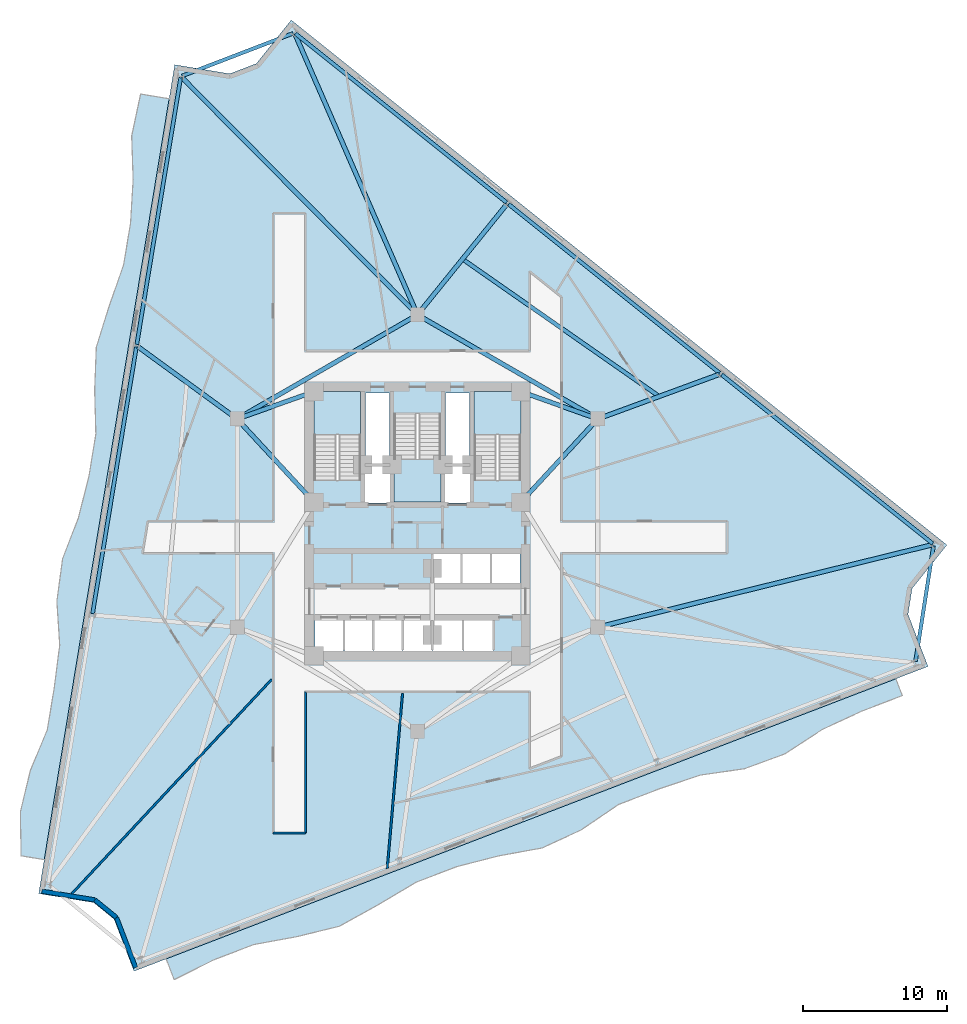
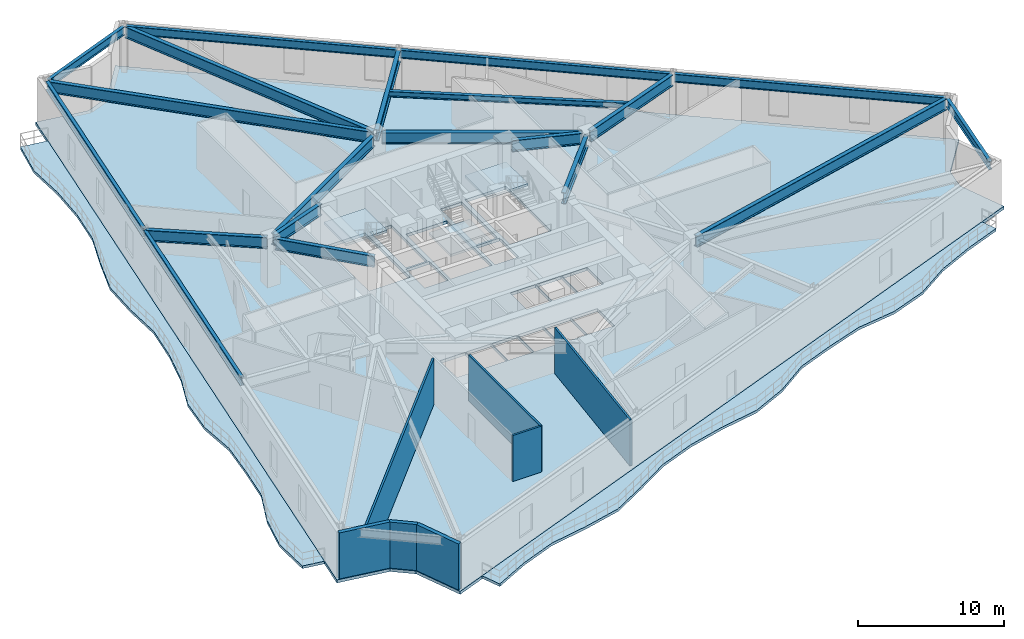
# One storey, part 3 of 10: 20 beams, 7 walls, 6 slabs, 3 elements without a shape of their own.
"""IFC4 building model written with IfcOpenShell, lengths in metres."""

from ifc_helpers import new_model, si_unit, direction, frame, frame_2d, origin, origin_2d, place, context, subcontext, project, spatial, polyline, rectangle, i_section, outline, extrude, material, layer, layer_set, material_profile, profile_set, type_object, element, aggregate, save


model = new_model("IFC4")

# Units and contexts
model_context = context("Model", 3, precision=1e-05, world=origin(), true_north=direction((0.0, 1.0)))
body_context = subcontext(model_context, "Body", "Model", "MODEL_VIEW")
ifc_project = project(units=[si_unit("LENGTHUNIT", "METRE"), si_unit("AREAUNIT", "SQUARE_METRE"), si_unit("VOLUMEUNIT", "CUBIC_METRE"), si_unit("PLANEANGLEUNIT", "RADIAN"), si_unit("MASSUNIT", "GRAM", prefix="KILO")], contexts=[model_context])

# Site, building, storey
site_placement = place(None, origin())
site = spatial("IfcSite", under=ifc_project, at=site_placement, CompositionType="ELEMENT")
building_placement = place(site_placement, origin())
building = spatial("IfcBuilding", under=site, at=building_placement, Name="Apsidion Concourse Tower", CompositionType="ELEMENT")
storey_placement = place(building_placement, frame((0.0, 0.0, 144.5)))
storey = spatial("IfcBuildingStorey", under=building, at=storey_placement, Name="L33", CompositionType="ELEMENT", Elevation=144.5)

# Beams
ifc_material_1 = material(Name="Structural steel ASTM A992 Grade 50", Category="steel")
ifc_material_profile_1 = material_profile(ifc_material_1, i_section(OverallWidth=0.280029296875, OverallDepth=0.462890625, WebThickness=0.0107421875, FlangeThickness=0.017333984375, at=origin_2d()), Name="W18X76")
ifc_profile_set_1 = profile_set([ifc_material_profile_1], Name="Structural steel ASTM A992 Grade 50")
beam_type_1 = type_object("IfcBeamType", Name="BM-FL-W18M", PredefinedType="BEAM", material=ifc_profile_set_1)
beam_1_placement = place(storey_placement, frame((16.836181640625, 8.818359375, 3.618408203125), z_axis=(-0.819987071057, 0.572382043131, 0.0), x_axis=(-0.572382043131, -0.819987071057, 0.0)))
element("IfcBeam", 1, at=beam_1_placement, inside=storey, type_object=beam_type_1, Name="L33 Secondary Floor Beam SEC-F3", PredefinedType="BEAM", context=body_context, shape_type="SweptSolid", body=[
    extrude(i_section(OverallWidth=0.280029296875, OverallDepth=0.462890625, WebThickness=0.0107421875, FlangeThickness=0.017333984375, at=origin_2d()), origin(), (0.0, 0.0, 1.0), 16.70703125),
])
ifc_material_profile_2 = material_profile(ifc_material_1, i_section(OverallWidth=0.31005859375, OverallDepth=0.931884765625, WebThickness=0.02099609375, FlangeThickness=0.034423828125, at=origin_2d()), Name="W36X210")
ifc_profile_set_2 = profile_set([ifc_material_profile_2], Name="Structural steel ASTM A992 Grade 50")
beam_type_2 = type_object("IfcBeamType", Name="BM-G-W36", PredefinedType="USERDEFINED", material=ifc_profile_set_2)
beam_2_placement = place(storey_placement, frame((12.28857421875, 6.956298828125, 3.384033203125), z_axis=(-0.678712876106, -0.73440372535, 0.0), x_axis=(0.73440372535, -0.678712876106, 0.0)))
element("IfcBeam", 2, at=beam_2_placement, inside=storey, type_object=beam_type_2, Name="L33 Core Coupling Girder IC3-SC3", ObjectType="GIRDER", PredefinedType="USERDEFINED", context=body_context, shape_type="SweptSolid", body=[
    extrude(i_section(OverallWidth=0.31005859375, OverallDepth=0.931884765625, WebThickness=0.02099609375, FlangeThickness=0.034423828125, at=origin_2d()), origin(), (0.0, 0.0, 1.0), 7.097412109375),
])
beam_3_placement = place(storey_placement, frame((12.18310546875, 7.383544921875, 3.384033203125), z_axis=(-0.942533844539, 0.334110688094, 0.0), x_axis=(-0.334110688094, -0.942533844539, 0.0)))
element("IfcBeam", 3, at=beam_3_placement, inside=storey, type_object=beam_type_2, Name="L33 Core Coupling Girder IC3-SC4", ObjectType="GIRDER", PredefinedType="USERDEFINED", context=body_context, shape_type="SweptSolid", body=[
    extrude(i_section(OverallWidth=0.31005859375, OverallDepth=0.931884765625, WebThickness=0.02099609375, FlangeThickness=0.034423828125, at=origin_2d()), origin(), (0.0, 0.0, 1.0), 4.886962890625),
])
beam_4_placement = place(storey_placement, frame((-12.28857421875, 6.956298828125, 3.384033203125), z_axis=(0.678712876106, -0.73440372535, 0.0), x_axis=(0.73440372535, 0.678712876106, 0.0)))
element("IfcBeam", 4, at=beam_4_placement, inside=storey, type_object=beam_type_2, Name="L33 Core Coupling Girder IC5-SC6", ObjectType="GIRDER", PredefinedType="USERDEFINED", context=body_context, shape_type="SweptSolid", body=[
    extrude(i_section(OverallWidth=0.31005859375, OverallDepth=0.931884765625, WebThickness=0.02099609375, FlangeThickness=0.034423828125, at=origin_2d()), origin(), (0.0, 0.0, 1.0), 7.097412109375),
])
beam_5_placement = place(storey_placement, frame((-12.18310546875, 7.383544921875, 3.384033203125), z_axis=(0.942533844539, 0.334110688094, 0.0), x_axis=(-0.334110688094, 0.942533844539, 0.0)))
element("IfcBeam", 5, at=beam_5_placement, inside=storey, type_object=beam_type_2, Name="L33 Core Coupling Girder IC5-SC5", ObjectType="GIRDER", PredefinedType="USERDEFINED", context=body_context, shape_type="SweptSolid", body=[
    extrude(i_section(OverallWidth=0.31005859375, OverallDepth=0.931884765625, WebThickness=0.02099609375, FlangeThickness=0.034423828125, at=origin_2d()), origin(), (0.0, 0.0, 1.0), 4.886962890625),
])
for number, where, z_axis, x_axis, name in (
    (6, (-12.213623046875, 7.449951171875, 3.384033203125), (0.866070471464, 0.499921932364, 0.0), (-0.499921932364, 0.866070471464, 0.0), "L33 Core Coupling Girder IC5-IC4"),
    (7, (0.346435546875, 14.300048828125, 3.384033203125), (0.866070471464, -0.499921932364, 0.0), (0.499921932364, 0.866070471464, 0.0), "L33 Core Coupling Girder IC4-IC3"),
):
    element("IfcBeam", number, at=place(storey_placement, frame(where, z_axis=z_axis, x_axis=x_axis)), inside=storey, type_object=beam_type_2, Name=name, ObjectType="GIRDER", PredefinedType="USERDEFINED", context=body_context, shape_type="SweptSolid", body=[
        extrude(i_section(OverallWidth=0.31005859375, OverallDepth=0.931884765625, WebThickness=0.02099609375, FlangeThickness=0.034423828125, at=origin_2d()), origin(), (0.0, 0.0, 1.0), 13.702392578125),
    ])
beam_6_placement = place(storey_placement, frame((-0.155029296875, 14.656005859375, 3.384033203125), z_axis=(-0.704472079086, 0.709731702679, 0.0), x_axis=(-0.709731702679, -0.704472079086, 0.0)))
element("IfcBeam", 8, at=beam_6_placement, inside=storey, type_object=beam_type_2, Name="L33 Radial Floor Girder RAD-01", ObjectType="GIRDER", PredefinedType="USERDEFINED", context=body_context, shape_type="SweptSolid", body=[
    extrude(i_section(OverallWidth=0.31005859375, OverallDepth=0.931884765625, WebThickness=0.02099609375, FlangeThickness=0.034423828125, at=origin_2d()), origin(), (0.0, 0.0, 1.0), 23.069580078125),
])
beam_7_placement = place(storey_placement, frame((-12.73779296875, 7.37939453125, 3.384033203125), z_axis=(-0.80838519092, 0.588653873767, 0.0), x_axis=(-0.588653873767, -0.80838519092, 0.0)))
element("IfcBeam", 9, at=beam_7_placement, inside=storey, type_object=beam_type_2, Name="L33 Radial Floor Girder RAD-02", ObjectType="GIRDER", PredefinedType="USERDEFINED", context=body_context, shape_type="SweptSolid", body=[
    extrude(i_section(OverallWidth=0.31005859375, OverallDepth=0.931884765625, WebThickness=0.02099609375, FlangeThickness=0.034423828125, at=origin_2d()), origin(), (0.0, 0.0, 1.0), 8.337646484375),
])
beam_8_placement = place(storey_placement, frame((12.773681640625, -7.197509765625, 3.384033203125), z_axis=(0.970978267366, 0.239167732569, 0.0), x_axis=(-0.239167732569, 0.970978267366, 0.0)))
element("IfcBeam", 10, at=beam_8_placement, inside=storey, type_object=beam_type_2, Name="L33 Radial Floor Girder RAD-09", ObjectType="GIRDER", PredefinedType="USERDEFINED", context=body_context, shape_type="SweptSolid", body=[
    extrude(i_section(OverallWidth=0.31005859375, OverallDepth=0.931884765625, WebThickness=0.02099609375, FlangeThickness=0.034423828125, at=origin_2d()), origin(), (0.0, 0.0, 1.0), 23.770263671875),
])
beam_9_placement = place(storey_placement, frame((12.7666015625, 7.32568359375, 3.384033203125), z_axis=(0.938840099728, 0.34435340443, 0.0), x_axis=(-0.34435340443, 0.938840099728, 0.0)))
element("IfcBeam", 11, at=beam_9_placement, inside=storey, type_object=beam_type_2, Name="L33 Radial Floor Girder RAD-10", ObjectType="GIRDER", PredefinedType="USERDEFINED", context=body_context, shape_type="SweptSolid", body=[
    extrude(i_section(OverallWidth=0.31005859375, OverallDepth=0.931884765625, WebThickness=0.02099609375, FlangeThickness=0.034423828125, at=origin_2d()), origin(), (0.0, 0.0, 1.0), 8.789306640625),
])
beam_10_placement = place(storey_placement, frame((0.13818359375, 14.671142578125, 3.384033203125), z_axis=(0.628598256624, 0.777730179284, 0.0), x_axis=(-0.777730179284, 0.628598256624, 0.0)))
element("IfcBeam", 12, at=beam_10_placement, inside=storey, type_object=beam_type_2, Name="L33 Radial Floor Girder RAD-11", ObjectType="GIRDER", PredefinedType="USERDEFINED", context=body_context, shape_type="SweptSolid", body=[
    extrude(i_section(OverallWidth=0.31005859375, OverallDepth=0.931884765625, WebThickness=0.02099609375, FlangeThickness=0.034423828125, at=origin_2d()), origin(), (0.0, 0.0, 1.0), 9.660400390625),
])
beam_11_placement = place(storey_placement, frame((-0.087890625, 14.70166015625, 3.384033203125), z_axis=(-0.39980027304, 0.916602281078, 0.0), x_axis=(-0.916602281078, -0.39980027304, 0.0)))
element("IfcBeam", 13, at=beam_11_placement, inside=storey, type_object=beam_type_2, Name="L33 Radial Floor Girder RAD-12", ObjectType="GIRDER", PredefinedType="USERDEFINED", context=body_context, shape_type="SweptSolid", body=[
    extrude(i_section(OverallWidth=0.31005859375, OverallDepth=0.931884765625, WebThickness=0.02099609375, FlangeThickness=0.034423828125, at=origin_2d()), origin(), (0.0, 0.0, 1.0), 21.104248046875),
])
ifc_material_profile_3 = material_profile(ifc_material_1, i_section(OverallWidth=0.256103515625, OverallDepth=0.693115234375, WebThickness=0.014404296875, FlangeThickness=0.023681640625, at=origin_2d()), Name="W27X114")
ifc_profile_set_3 = profile_set([ifc_material_profile_3], Name="Structural steel ASTM A992 Grade 50")
beam_type_3 = type_object("IfcBeamType", Name="BM-SP-W27", PredefinedType="SPANDREL", material=ifc_profile_set_3)
for number, where, z_axis, x_axis, name in (
    (14, (-16.493408203125, 31.001708984375, 3.50341796875), (-0.162122790078, -0.986770591849, 0.0), (0.986770591849, -0.162122790078, 0.0), "L33 Perimeter Spandrel Girder SP-01"),
    (15, (-19.57470703125, 12.24755859375, 3.50341796875), (-0.162110148975, -0.986772668652, 0.0), (0.986772668652, -0.162110148975, 0.0), "L33 Perimeter Spandrel Girder SP-02"),
):
    element("IfcBeam", number, at=place(storey_placement, frame(where, z_axis=z_axis, x_axis=x_axis)), inside=storey, type_object=beam_type_3, Name=name, PredefinedType="SPANDREL", context=body_context, shape_type="SweptSolid", body=[
        extrude(i_section(OverallWidth=0.256103515625, OverallDepth=0.693115234375, WebThickness=0.014404296875, FlangeThickness=0.023681640625, at=origin_2d()), origin(), (0.0, 0.0, 1.0), 18.8056640625),
    ])
beam_12_placement = place(storey_placement, frame((34.68408203125, -9.64013671875, 3.50341796875), z_axis=(0.153594554534, 0.988133954896, 0.0), x_axis=(-0.988133954896, 0.153594554534, 0.0)))
element("IfcBeam", 16, at=beam_12_placement, inside=storey, type_object=beam_type_3, Name="L33 Perimeter Spandrel Girder SP-08", PredefinedType="SPANDREL", context=body_context, shape_type="SweptSolid", body=[
    extrude(i_section(OverallWidth=0.256103515625, OverallDepth=0.693115234375, WebThickness=0.014404296875, FlangeThickness=0.023681640625, at=origin_2d()), origin(), (0.0, 0.0, 1.0), 8.1494140625),
])
beam_13_placement = place(storey_placement, frame((35.873046875, -1.426025390625, 3.50341796875), z_axis=(-0.780761138975, 0.624829611868, 0.0), x_axis=(-0.624829611868, -0.780761138975, 0.0)))
element("IfcBeam", 17, at=beam_13_placement, inside=storey, type_object=beam_type_3, Name="L33 Perimeter Spandrel Girder SP-09", PredefinedType="SPANDREL", context=body_context, shape_type="SweptSolid", body=[
    extrude(i_section(OverallWidth=0.256103515625, OverallDepth=0.693115234375, WebThickness=0.014404296875, FlangeThickness=0.023681640625, at=origin_2d()), origin(), (0.0, 0.0, 1.0), 18.805419921875),
])
for number, where, z_axis, x_axis, name in (
    (18, (21.0341796875, 10.44921875, 3.50341796875), (-0.780754805621, 0.624837525682, 0.0), (-0.624837525682, -0.780754805621, 0.0), "L33 Perimeter Spandrel Girder SP-10"),
    (19, (6.1953125, 22.32470703125, 3.50341796875), (-0.780754805621, 0.624837525682, 0.0), (-0.624837525682, -0.780754805621, 0.0), "L33 Perimeter Spandrel Girder SP-11"),
):
    element("IfcBeam", number, at=place(storey_placement, frame(where, z_axis=z_axis, x_axis=x_axis)), inside=storey, type_object=beam_type_3, Name=name, PredefinedType="SPANDREL", context=body_context, shape_type="SweptSolid", body=[
        extrude(i_section(OverallWidth=0.256103515625, OverallDepth=0.693115234375, WebThickness=0.014404296875, FlangeThickness=0.023681640625, at=origin_2d()), origin(), (0.0, 0.0, 1.0), 18.8056640625),
    ])
beam_14_placement = place(storey_placement, frame((-8.65869140625, 34.101806640625, 3.50341796875), z_axis=(-0.933572784053, -0.35838785816, 0.0), x_axis=(0.35838785816, -0.933572784053, 0.0)))
element("IfcBeam", 20, at=beam_14_placement, inside=storey, type_object=beam_type_3, Name="L33 Perimeter Spandrel Girder SP-12", PredefinedType="SPANDREL", context=body_context, shape_type="SweptSolid", body=[
    extrude(i_section(OverallWidth=0.256103515625, OverallDepth=0.693115234375, WebThickness=0.014404296875, FlangeThickness=0.023681640625, at=origin_2d()), origin(), (0.0, 0.0, 1.0), 8.274658203125),
])

# Slabs
ifc_material_2 = material(Name="Concrete C50/60", Category="concrete")
ifc_layer_1 = layer(ifc_material_2, 0.219970703125)
ifc_layer_set_1 = layer_set([ifc_layer_1], Name="Concrete C50/60")
slab_type_1 = type_object("IfcSlabType", Name="SL-BAL-220", PredefinedType="FLOOR", material=ifc_layer_set_1)
slab_1_placement = place(storey_placement, frame((0.0, 0.0, -0.219970703125)))
element("IfcSlab", 21, at=slab_1_placement, inside=storey, type_object=slab_type_1, Name="L33 Face 1 Rippling Balcony Slab", PredefinedType="FLOOR", context=body_context, shape_type="SweptSolid", body=[
    extrude(outline(polyline([(-17.293701171875, 29.547119140625), (-17.77685546875, 26.603515625), (-18.260009765625, 23.66015625), (-18.7431640625, 20.716552734375), (-19.226318359375, 17.77294921875), (-19.709716796875, 14.829345703125), (-20.192626953125, 11.8857421875), (-20.67578125, 8.9423828125), (-21.1591796875, 5.998779296875), (-21.642333984375, 3.05517578125), (-22.12548828125, 0.111572265625), (-22.608642578125, -2.83203125), (-23.091796875, -5.775390625), (-23.574951171875, -8.718994140625), (-24.05810546875, -11.66259765625), (-24.541259765625, -14.606201171875), (-25.0244140625, -17.5498046875), (-25.507568359375, -20.493408203125), (-25.99072265625, -23.43701171875), (-27.597412109375, -23.173095703125), (-27.65380859375, -20.14111328125), (-26.956298828125, -17.232666015625), (-25.774658203125, -14.40380859375), (-25.29150390625, -11.460205078125), (-24.911376953125, -8.499755859375), (-25.10986328125, -5.4443359375), (-24.7109375, -2.48681640625), (-23.612060546875, 0.355712890625), (-22.875732421875, 3.257568359375), (-22.392578125, 6.201171875), (-22.478515625, 9.238037109375), (-22.36328125, 12.2421875), (-21.464599609375, 15.117431640625), (-20.4599609375, 17.975341796875), (-19.976806640625, 20.9189453125), (-19.798095703125, 23.91259765625), (-19.900634765625, 26.9521484375), (-19.27685546875, 29.872802734375), (-17.293701171875, 29.547119140625)])), origin(), (0.0, 0.0, 1.0), 0.219970703125),
])
slab_2_placement = place(storey_placement, frame((0.0, 0.0, -0.219970703125)))
element("IfcSlab", 22, at=slab_2_placement, inside=storey, type_object=slab_type_1, Name="L33 Face 2 Rippling Balcony Slab", PredefinedType="FLOOR", context=body_context, shape_type="SweptSolid", body=[
    extrude(outline(polyline([(-17.49853515625, -30.353271484375), (-14.67578125, -29.26953125), (-11.852783203125, -28.18603515625), (-9.02978515625, -27.102294921875), (-6.206787109375, -26.018798828125), (-3.3837890625, -24.93505859375), (-0.56103515625, -23.8515625), (2.261962890625, -22.767822265625), (5.0849609375, -21.68408203125), (7.90771484375, -20.6005859375), (10.730712890625, -19.51708984375), (13.5537109375, -18.433349609375), (16.376708984375, -17.349609375), (19.19970703125, -16.26611328125), (22.0224609375, -15.1826171875), (24.845458984375, -14.098876953125), (27.66845703125, -13.01513671875), (30.491455078125, -11.931640625), (33.314208984375, -10.847900390625), (33.76220703125, -12.014892578125), (30.939208984375, -13.0986328125), (28.189208984375, -14.3720703125), (25.6015625, -16.068603515625), (22.7626953125, -17.11083984375), (19.692626953125, -17.550537109375), (16.82470703125, -18.5166015625), (14.001708984375, -19.600341796875), (11.434814453125, -21.351318359375), (8.685302734375, -22.625732421875), (5.65771484375, -23.176513671875), (2.7099609375, -23.934814453125), (-0.113037109375, -25.018310546875), (-2.74951171875, -26.587890625), (-5.418701171875, -28.072265625), (-8.379150390625, -28.797119140625), (-11.40478515625, -29.352783203125), (-14.227783203125, -30.4365234375), (-16.943115234375, -31.80029296875), (-17.49853515625, -30.353271484375)])), origin(), (0.0, 0.0, 1.0), 0.219970703125),
])
ifc_layer_2 = layer(ifc_material_2, 0.25)
ifc_layer_set_2 = layer_set([ifc_layer_2], Name="Concrete C50/60")
slab_type_2 = type_object("IfcSlabType", Name="SL-FLR-250", PredefinedType="FLOOR", material=ifc_layer_set_2)
slab_3_placement = place(storey_placement, frame((0.0, 0.0, -0.25)))
element("IfcSlab", 23, at=slab_3_placement, inside=storey, type_object=slab_type_2, Name="L33 Structural Floor Slab", PredefinedType="FLOOR", context=body_context, shape_type="SweptSolid", body=[
    extrude(outline(polyline([(-8.792724609375, 35.029541015625), (-11.219970703125, 31.997802734375), (-13.072509765625, 31.286376953125), (-16.905029296875, 31.91552734375), (-26.37939453125, -25.80517578125), (-22.547119140625, -26.434326171875), (-21.131103515625, -27.587646484375), (-19.7392578125, -31.21337890625), (35.554931640625, -9.98779296875), (34.1630859375, -6.3623046875), (34.44384765625, -4.5576171875), (36.870849609375, -1.525634765625), (-8.792724609375, 35.029541015625)]), holes=[polyline([(-3.949951171875, 3.0), (-3.949951171875, 9.14990234375), (-7.199951171875, 9.14990234375), (-7.199951171875, 3.0), (-3.949951171875, 3.0)]), polyline([(7.199951171875, 3.0), (7.199951171875, 9.14990234375), (3.949951171875, 9.14990234375), (3.949951171875, 3.0), (7.199951171875, 3.0)]), polyline([(-1.625, 7.60009765625), (-1.625, 1.449951171875), (1.625, 1.449951171875), (1.625, 7.60009765625), (-1.625, 7.60009765625)]), polyline([(1.054931640625, -4.300048828125), (3.044921875, -4.300048828125), (3.044921875, -2.050048828125), (1.054931640625, -2.050048828125), (1.054931640625, -4.300048828125)]), polyline([(3.10498046875, -4.300048828125), (5.094970703125, -4.300048828125), (5.094970703125, -2.050048828125), (3.10498046875, -2.050048828125), (3.10498046875, -4.300048828125)]), polyline([(5.155029296875, -4.300048828125), (7.14501953125, -4.300048828125), (7.14501953125, -2.050048828125), (5.155029296875, -2.050048828125), (5.155029296875, -4.300048828125)]), polyline([(-7.14501953125, -8.949951171875), (-5.155029296875, -8.949951171875), (-5.155029296875, -6.64990234375), (-7.14501953125, -6.64990234375), (-7.14501953125, -8.949951171875)]), polyline([(-5.094970703125, -8.949951171875), (-3.10498046875, -8.949951171875), (-3.10498046875, -6.64990234375), (-5.094970703125, -6.64990234375), (-5.094970703125, -8.949951171875)]), polyline([(-3.044921875, -8.949951171875), (-1.054931640625, -8.949951171875), (-1.054931640625, -6.64990234375), (-3.044921875, -6.64990234375), (-3.044921875, -8.949951171875)]), polyline([(-0.9951171875, -8.949951171875), (0.9951171875, -8.949951171875), (0.9951171875, -6.64990234375), (-0.9951171875, -6.64990234375), (-0.9951171875, -8.949951171875)]), polyline([(1.044921875, -9.0), (3.155029296875, -9.0), (3.155029296875, -6.64990234375), (1.044921875, -6.64990234375), (1.044921875, -9.0)]), polyline([(3.195068359375, -9.0), (5.304931640625, -9.0), (5.304931640625, -6.64990234375), (3.195068359375, -6.64990234375), (3.195068359375, -9.0)]), polyline([(-3.7099609375, 1.39990234375), (-1.85009765625, 1.39990234375), (-1.85009765625, 4.0), (-3.7099609375, 4.0), (-3.7099609375, 1.39990234375)]), polyline([(1.85009765625, 1.39990234375), (3.7099609375, 1.39990234375), (3.7099609375, 4.0), (1.85009765625, 4.0), (1.85009765625, 1.39990234375)]), polyline([(-3.6201171875, 4.14990234375), (-1.93994140625, 4.14990234375), (-1.93994140625, 9.050048828125), (-3.6201171875, 9.050048828125), (-3.6201171875, 4.14990234375)]), polyline([(1.93994140625, 4.14990234375), (3.6201171875, 4.14990234375), (3.6201171875, 9.050048828125), (1.93994140625, 9.050048828125), (1.93994140625, 4.14990234375)])]), origin(), (0.0, 0.0, 1.0), 0.25),
])

# Stair, slab
ifc_material_3 = material(Name="Precast concrete C40/50", Category="concrete")
stair_type = type_object("IfcStairType", Name="ST-DL-1550", PredefinedType="HALF_TURN_STAIR", material=ifc_material_3)
stair_1_placement = place(storey_placement, origin())
stair_1 = element("IfcStair", 24, at=stair_1_placement, inside=storey, type_object=stair_type, Name="L33 Protected Core Exit Stair ST1", PredefinedType="HALF_TURN_STAIR")
ifc_layer_3 = layer(ifc_material_2, 0.199951171875)
ifc_layer_set_3 = layer_set([ifc_layer_3], Name="Concrete C50/60")
slab_type_3 = type_object("IfcSlabType", Name="SL-ST-LAND-200", PredefinedType="LANDING", material=ifc_layer_set_3)
slab_4_placement = place(storey_placement, frame((0.0, 0.0, 1.85009765625)))
slab_4 = element("IfcSlab", 25, at=slab_4_placement, type_object=slab_type_3, Name="ST1 landing 1", PredefinedType="LANDING", context=body_context, shape_type="SweptSolid", body=[
    extrude(outline(polyline([(-3.949951171875, 6.135009765625), (-3.949951171875, 9.14990234375), (-7.199951171875, 9.14990234375), (-7.199951171875, 6.135009765625), (-3.949951171875, 6.135009765625)])), origin(), (0.0, 0.0, 1.0), 0.199951171875),
])
aggregate(stair_1, [slab_4])

stair_2_placement = place(storey_placement, origin())
stair_2 = element("IfcStair", 26, at=stair_2_placement, inside=storey, type_object=stair_type, Name="L33 Protected Core Exit Stair ST2", PredefinedType="HALF_TURN_STAIR")
slab_5_placement = place(storey_placement, frame((0.0, 0.0, 1.85009765625)))
slab_5 = element("IfcSlab", 27, at=slab_5_placement, type_object=slab_type_3, Name="ST2 landing 1", PredefinedType="LANDING", context=body_context, shape_type="SweptSolid", body=[
    extrude(outline(polyline([(7.199951171875, 6.135009765625), (7.199951171875, 9.14990234375), (3.949951171875, 9.14990234375), (3.949951171875, 6.135009765625), (7.199951171875, 6.135009765625)])), origin(), (0.0, 0.0, 1.0), 0.199951171875),
])
aggregate(stair_2, [slab_5])

stair_3_placement = place(storey_placement, origin())
stair_3 = element("IfcStair", 28, at=stair_3_placement, inside=storey, type_object=stair_type, Name="L33 Protected Core Exit Stair ST3", PredefinedType="HALF_TURN_STAIR")
slab_6_placement = place(storey_placement, frame((0.0, 0.0, 1.85009765625)))
slab_6 = element("IfcSlab", 29, at=slab_6_placement, type_object=slab_type_3, Name="ST3 landing 1", PredefinedType="LANDING", context=body_context, shape_type="SweptSolid", body=[
    extrude(outline(polyline([(-1.625, 4.465087890625), (-1.625, 1.449951171875), (1.625, 1.449951171875), (1.625, 4.465087890625), (-1.625, 4.465087890625)])), origin(), (0.0, 0.0, 1.0), 0.199951171875),
])
aggregate(stair_3, [slab_6])

# Walls
ifc_layer_4 = layer(ifc_material_3, 0.300048828125)
ifc_layer_set_4 = layer_set([ifc_layer_4], Name="Precast concrete C40/50")
wall_type_1 = type_object("IfcWallType", Name="WL-EXT-300", PredefinedType="STANDARD", material=ifc_layer_set_4)
wall_1_placement = place(storey_placement, frame((-19.624267578125, -30.954833984375, 0.0), z_axis=(0.0, 0.0, 1.0), x_axis=(-0.358366059171, 0.933581152142, 0.0)))
element("IfcWall", 30, at=wall_1_placement, inside=storey, type_object=wall_type_1, Name="L33 Precast Stone Facade Wall 06", PredefinedType="STANDARD", context=body_context, shape_type="SweptSolid", body=[
    extrude(rectangle(XDim=3.73681640625, YDim=0.300048828125, at=frame_2d((1.868408203125, 0.0))), origin(), (0.0, 0.0, 1.0), 3.85009765625),
])
wall_2_placement = place(storey_placement, frame((-20.96337890625, -27.46630859375, 0.0), z_axis=(0.0, 0.0, 1.0), x_axis=(-0.775367830134, 0.631509879569, 0.0)))
element("IfcWall", 31, at=wall_2_placement, inside=storey, type_object=wall_type_1, Name="L33 Precast Stone Facade Wall 07", PredefinedType="STANDARD", context=body_context, shape_type="SweptSolid", body=[
    extrude(rectangle(XDim=1.93310546875, YDim=0.300048828125, at=frame_2d((0.966552734375, 0.0))), origin(), (0.0, 0.0, 1.0), 3.85009765625),
])
wall_3_placement = place(storey_placement, frame((-22.462158203125, -26.24560546875, 0.0), z_axis=(0.0, 0.0, 1.0), x_axis=(-0.986786597315, 0.16202534172, 0.0)))
element("IfcWall", 32, at=wall_3_placement, inside=storey, type_object=wall_type_1, Name="L33 Precast Stone Facade Wall 08", PredefinedType="STANDARD", context=body_context, shape_type="SweptSolid", body=[
    extrude(rectangle(XDim=3.73681640625, YDim=0.300048828125, at=frame_2d((1.868408203125, 0.0))), origin(), (0.0, 0.0, 1.0), 3.85009765625),
])
ifc_material_4 = material(Name="Gypsum plasterboard partition")
ifc_layer_5 = layer(ifc_material_4, 0.14990234375)
ifc_layer_set_5 = layer_set([ifc_layer_5], Name="Gypsum plasterboard partition")
wall_type_2 = type_object("IfcWallType", Name="WL-INT-PAR-150", PredefinedType="PARTITIONING", material=ifc_layer_set_5)
wall_4_placement = place(storey_placement, frame((-7.7900390625, -11.77490234375, 0.0), z_axis=(0.0, 0.0, 1.0), x_axis=(0.0, -1.0, 0.0)))
element("IfcWall", 33, at=wall_4_placement, inside=storey, type_object=wall_type_2, Name="L33 Interior Partition WL-L33-CORR-04", PredefinedType="PARTITIONING", context=body_context, shape_type="SweptSolid", body=[
    extrude(rectangle(XDim=9.80517578125, YDim=0.14990234375, at=frame_2d((4.902587890625, 0.0))), origin(), (0.0, 0.0, 1.0), 3.85009765625),
])
wall_5_placement = place(storey_placement, frame((-7.7900390625, -21.580078125, 0.0), z_axis=(0.0, 0.0, 1.0), x_axis=(-1.0, 0.0, 0.0)))
element("IfcWall", 34, at=wall_5_placement, inside=storey, type_object=wall_type_2, Name="L33 Interior Partition WL-L33-CORR-05", PredefinedType="PARTITIONING", context=body_context, shape_type="SweptSolid", body=[
    extrude(rectangle(XDim=2.260009765625, YDim=0.14990234375, at=frame_2d((1.1298828125, 0.0))), origin(), (0.0, 0.0, 1.0), 3.85009765625),
])
wall_6_placement = place(storey_placement, frame((-10.155029296875, -10.889892578125, 0.0), z_axis=(0.0, 0.0, 1.0), x_axis=(-0.681994218346, -0.731357563811, 0.0)))
element("IfcWall", 35, at=wall_6_placement, inside=storey, type_object=wall_type_2, Name="L33 Interior Partition WL-L33-RAD-06-1", PredefinedType="PARTITIONING", context=body_context, shape_type="SweptSolid", body=[
    extrude(rectangle(XDim=20.40625, YDim=0.14990234375, at=frame_2d((10.203125, 0.0))), origin(), (0.0, 0.0, 1.0), 3.85009765625),
])
wall_7_placement = place(storey_placement, frame((-1.039306640625, -11.8798828125, 0.0), z_axis=(0.0, 0.0, 1.0), x_axis=(-0.087170172266, -0.996193435567, 0.0)))
element("IfcWall", 36, at=wall_7_placement, inside=storey, type_object=wall_type_2, Name="L33 Interior Partition WL-L33-RAD-07-1", PredefinedType="PARTITIONING", context=body_context, shape_type="SweptSolid", body=[
    extrude(rectangle(XDim=12.2197265625, YDim=0.14990234375, at=frame_2d((6.10986328125, 0.0))), origin(), (0.0, 0.0, 1.0), 3.85009765625),
])

save(model, "model.ifc")
